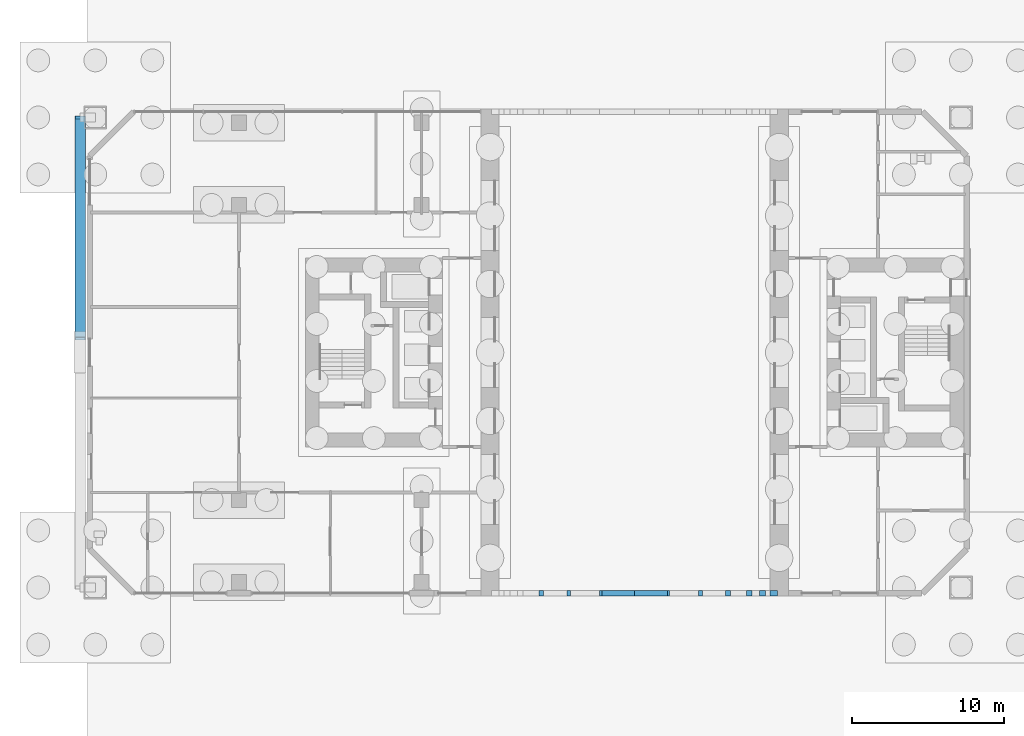
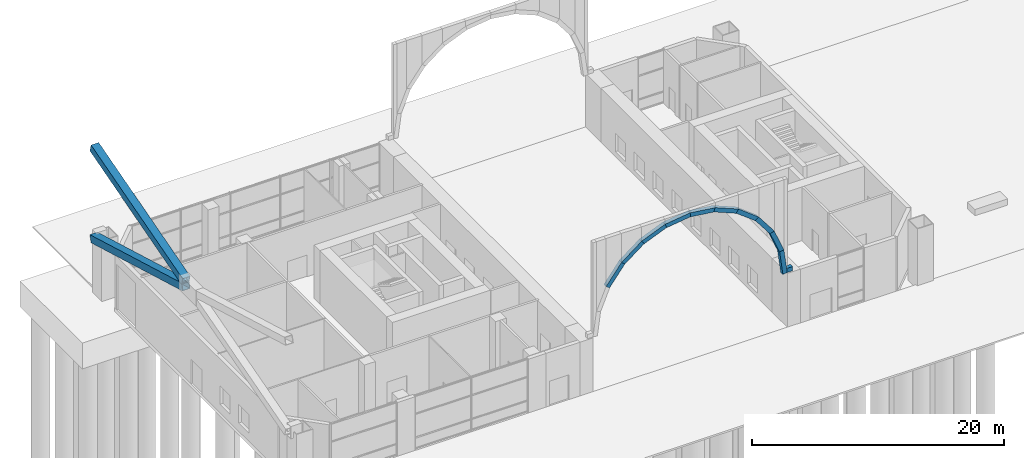
# One storey, part 4 of 26: 11 beams, 2 members.
"""IFC4 building model written with IfcOpenShell, lengths in metres."""

from ifc_helpers import new_model, si_unit, direction, frame, origin, origin_2d, place, context, subcontext, project, spatial, rectangle, hollow_rectangle, extrude, material, material_profile, profile_set, type_object, element, save


model = new_model("IFC4")

# Units and contexts
model_context = context("Model", 3, precision=1e-05, world=origin(), true_north=direction((0.0, 1.0)))
body_context = subcontext(model_context, "Body", "Model", "MODEL_VIEW")
ifc_project = project(units=[si_unit("LENGTHUNIT", "METRE"), si_unit("AREAUNIT", "SQUARE_METRE"), si_unit("VOLUMEUNIT", "CUBIC_METRE"), si_unit("PLANEANGLEUNIT", "RADIAN"), si_unit("MASSUNIT", "GRAM", prefix="KILO")], contexts=[model_context])

# Site, building, storey
site_placement = place(None, origin())
site = spatial("IfcSite", under=ifc_project, at=site_placement, CompositionType="ELEMENT")
building_placement = place(site_placement, origin())
building = spatial("IfcBuilding", under=site, at=building_placement, Name="Tuart Gate Housing", CompositionType="ELEMENT")
storey_placement = place(building_placement, origin())
storey = spatial("IfcBuildingStorey", under=building, at=storey_placement, Name="L00", CompositionType="ELEMENT", Elevation=0.0)

# Members
ifc_material_1 = material(Name="Steel Grade 350", Category="steel")
ifc_material_profile_1 = material_profile(ifc_material_1, hollow_rectangle(XDim=0.699951171875, YDim=0.699951171875, WallThickness=0.034912109375, at=origin_2d()), Name="BOX 700x700x35")
ifc_profile_set_1 = profile_set([ifc_material_profile_1], Name="Steel Grade 350")
member_type = type_object("IfcMemberType", Name="Mega brace BOX 700x700x35", PredefinedType="BRACE", material=ifc_profile_set_1)
for number, where, z_axis, x_axis, name in (
    (1, (17.550048828125, 70.913818359375, 10.16015625), (0.0, 0.961755843044, 0.273908193324), (-1.0, 0.0, 0.0), "Mega brace A zone 0 west cross 1 b"),
    (2, (17.550048828125, 85.449951171875, 5.5), (0.0, -0.961755843044, 0.273908193324), (1.0, 0.0, 0.0), "Mega brace A zone 0 west cross 2 a"),
):
    element("IfcMember", number, at=place(storey_placement, frame(where, z_axis=z_axis, x_axis=x_axis)), inside=storey, type_object=member_type, Name=name, PredefinedType="BRACE", context=body_context, shape_type="SweptSolid", body=[
        extrude(hollow_rectangle(XDim=0.699951171875, YDim=0.699951171875, WallThickness=0.034912109375, at=origin_2d()), origin(), (0.0, 0.0, 1.0), 15.1142578125),
    ])

# Beams
ifc_material_2 = material(Name="Concrete C50", Category="concrete")
ifc_material_profile_2 = material_profile(ifc_material_2, rectangle(XDim=0.360107421875, YDim=0.39990234375, at=origin_2d()), Name="RC arch ring 360 x 400")
ifc_profile_set_2 = profile_set([ifc_material_profile_2], Name="Concrete C50")
beam_type = type_object("IfcBeamType", Name="RC arch ring 360 x 400", PredefinedType="BEAM", material=ifc_profile_set_2)
for number, where, z_axis, x_axis, name in (
    (3, (46.450927734375, 54.179931640625, 9.628173828125), (0.608806482168, 0.0, 0.793318767754), (0.0, 1.0, 0.0), "Arch rib beam AS segment 2"),
    (4, (47.82861328125, 54.179931640625, 11.4345703125), (0.793318767754, 0.0, 0.608806482168), (0.0, 1.0, 0.0), "Arch rib beam AS segment 3"),
):
    element("IfcBeam", number, at=place(storey_placement, frame(where, z_axis=z_axis, x_axis=x_axis)), inside=storey, type_object=beam_type, Name=name, PredefinedType="BEAM", context=body_context, shape_type="SweptSolid", body=[
        extrude(rectangle(XDim=0.360107421875, YDim=0.39990234375, at=origin_2d()), origin(), (0.0, 0.0, 1.0), 2.323486328125),
    ])
for number, where, z_axis, x_axis, name in (
    (5, (49.62646484375, 54.179931640625, 12.822998046875), (0.923907975937, 0.0, 0.382614756641), (0.0, 1.0, 0.0), "Arch rib beam AS segment 4"),
    (6, (51.72265625, 54.179931640625, 13.698486328125), (0.991446782947, 0.0, 0.130511595593), (0.0, 1.0, 0.0), "Arch rib beam AS segment 5"),
    (7, (53.973876953125, 54.179931640625, 14.001708984375), (0.991446782947, 0.0, -0.130511595593), (0.0, 1.0, 0.0), "Arch rib beam AS segment 6"),
    (8, (56.22705078125, 54.179931640625, 13.7119140625), (0.923907975937, 0.0, -0.382614756641), (0.0, 1.0, 0.0), "Arch rib beam AS segment 7"),
):
    element("IfcBeam", number, at=place(storey_placement, frame(where, z_axis=z_axis, x_axis=x_axis)), inside=storey, type_object=beam_type, Name=name, PredefinedType="BEAM", context=body_context, shape_type="SweptSolid", body=[
        extrude(rectangle(XDim=0.360107421875, YDim=0.39990234375, at=origin_2d()), origin(), (0.0, 0.0, 1.0), 2.3232421875),
    ])
for number, where, z_axis, x_axis, name in (
    (9, (58.328125, 54.179931640625, 12.84912109375), (0.793318767754, 0.0, -0.608806482168), (0.0, 1.0, 0.0), "Arch rib beam AS segment 8"),
    (10, (60.134521484375, 54.179931640625, 11.471435546875), (0.608806482168, 0.0, -0.793318767754), (0.0, 1.0, 0.0), "Arch rib beam AS segment 9"),
):
    element("IfcBeam", number, at=place(storey_placement, frame(where, z_axis=z_axis, x_axis=x_axis)), inside=storey, type_object=beam_type, Name=name, PredefinedType="BEAM", context=body_context, shape_type="SweptSolid", body=[
        extrude(rectangle(XDim=0.360107421875, YDim=0.39990234375, at=origin_2d()), origin(), (0.0, 0.0, 1.0), 2.323486328125),
    ])
for number, where, z_axis, x_axis, name in (
    (11, (61.52294921875, 54.179931640625, 9.673583984375), (0.382704452476, 0.0, -0.923870825416), (0.0, 1.0, 0.0), "Arch rib beam AS segment 10"),
    (12, (62.3984375, 54.179931640625, 7.577392578125), (0.130511595593, 0.0, -0.991446782947), (0.0, 1.0, 0.0), "Arch rib beam AS segment 11"),
):
    element("IfcBeam", number, at=place(storey_placement, frame(where, z_axis=z_axis, x_axis=x_axis)), inside=storey, type_object=beam_type, Name=name, PredefinedType="BEAM", context=body_context, shape_type="SweptSolid", body=[
        extrude(rectangle(XDim=0.360107421875, YDim=0.39990234375, at=origin_2d()), origin(), (0.0, 0.0, 1.0), 2.3232421875),
    ])
beam_placement = place(storey_placement, frame((62.550048828125, 54.179931640625, 5.5), z_axis=(1.0, 0.0, 0.0), x_axis=(0.0, 1.0, 0.0)))
element("IfcBeam", 13, at=beam_placement, inside=storey, type_object=beam_type, Name="Arch seat beam AS east", PredefinedType="BEAM", context=body_context, shape_type="SweptSolid", body=[
    extrude(rectangle(XDim=0.360107421875, YDim=0.39990234375, at=origin_2d()), origin(), (0.0, 0.0, 1.0), 0.849853515625),
])

save(model, "model.ifc")
